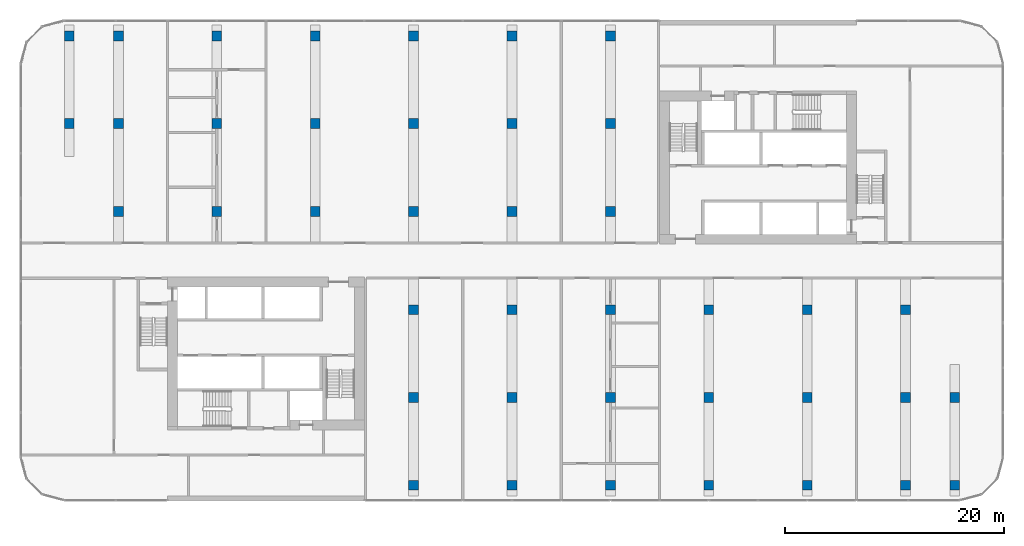
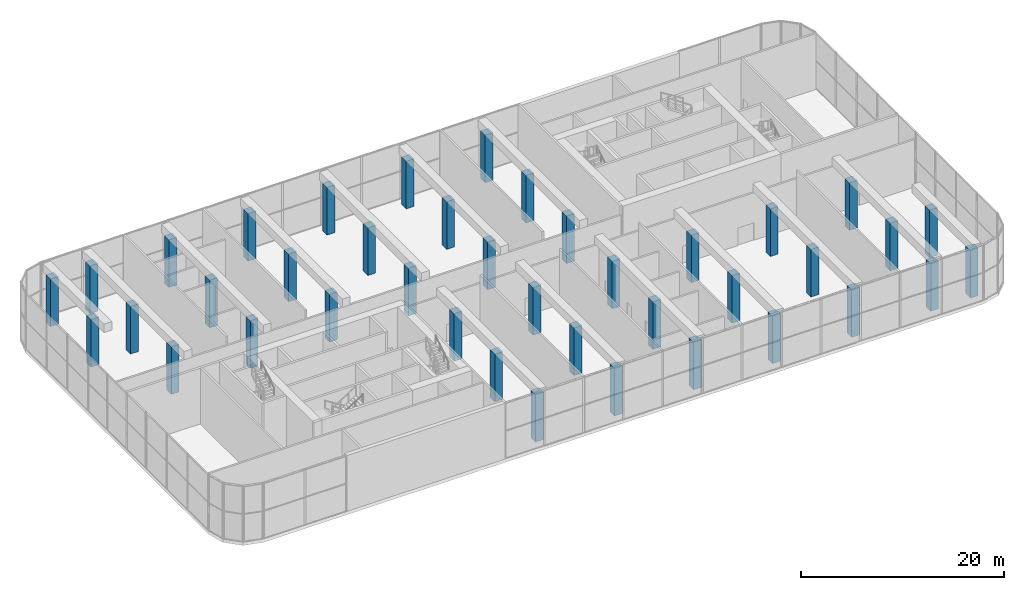
# One storey, part 1 of 23: 40 columns.
"""IFC4 building model written with IfcOpenShell, lengths in metres."""

import ifcopenshell
import ifcopenshell.guid

model = None  # the IFC model being written
_history = None  # IfcOwnerHistory: only IFC2X3 demands one
_inside = {}  # id of a spatial element -> (the spatial element, [elements in it])
_under = {}  # id of a project, library or spatial element -> (it, [spatial elements below it])
_declared = {}  # id of a project -> (the project, [libraries it declares])
_typed = {}  # id of a type object -> (the type object, [elements of that type])
_made_of = {}  # id of a material, layer set ... -> (it, [elements and type objects made of it])


def new_model(schema):
    """Start an empty IFC model of exactly this schema.

    Asked for "IFC4X3", IfcOpenShell would pick the latest addendum, in which some entities
    have other attributes; the version numbers below select the first issue.
    IFC2X3 requires an IfcOwnerHistory on every rooted entity: one is made here for all.
    """
    global model, _history
    if schema == "IFC4X3":
        model = ifcopenshell.file(schema_version=(4, 3, 0, 0))
    else:
        model = ifcopenshell.file(schema=schema)
    _inside.clear()
    _under.clear()
    _declared.clear()
    _typed.clear()
    _made_of.clear()
    _history = None
    if model.schema == "IFC2X3":
        org = make("IfcOrganization", Name="unknown")
        user = make(
            "IfcPersonAndOrganization",
            ThePerson=make("IfcPerson", FamilyName="unknown"),
            TheOrganization=org,
        )
        app = make(
            "IfcApplication",
            ApplicationDeveloper=org,
            Version="unknown",
            ApplicationFullName="unknown",
            ApplicationIdentifier="unknown",
        )
        _history = make(
            "IfcOwnerHistory",
            OwningUser=user,
            OwningApplication=app,
            ChangeAction="ADDED",
            CreationDate=0,
        )
    return model


def make(cls, **values):
    """One entity of the class cls with the attributes given. An attribute that is None is left unset."""
    return model.create_entity(
        cls, **{name: value for name, value in values.items() if value is not None}
    )


def rooted(cls, **values):
    """An entity with a GlobalId (a new one), such as an element, a storey or a relation."""
    return make(cls, GlobalId=ifcopenshell.guid.new(), OwnerHistory=_history, **values)


def si_unit(unit_type, name, prefix=None):
    """IfcSIUnit, for example si_unit("LENGTHUNIT", "METRE", prefix="MILLI")."""
    return make("IfcSIUnit", UnitType=unit_type, Prefix=prefix, Name=name)


def assignment(units):
    """IfcUnitAssignment: the units of a project."""
    return None if units is None else make("IfcUnitAssignment", Units=units)


def point(xyz):
    """IfcCartesianPoint."""
    return None if xyz is None else make("IfcCartesianPoint", Coordinates=xyz)


def direction(xyz):
    """IfcDirection."""
    return None if xyz is None else make("IfcDirection", DirectionRatios=xyz)


def frame(location, z_axis=None, x_axis=None):
    """IfcAxis2Placement3D, a coordinate frame: its origin and axes. An axis left out is left unset."""
    return make(
        "IfcAxis2Placement3D",
        Location=point(location),
        Axis=direction(z_axis),
        RefDirection=direction(x_axis),
    )


def frame_2d(location, x_axis=None):
    """IfcAxis2Placement2D, a coordinate frame in the plane: its origin and x axis."""
    return make(
        "IfcAxis2Placement2D", Location=point(location), RefDirection=direction(x_axis)
    )


def origin():
    """The frame at (0, 0, 0) with its axes left unset."""
    return frame((0.0, 0.0, 0.0))


def origin_2d():
    """The frame at (0, 0) in the plane with its x axis left unset."""
    return frame_2d((0.0, 0.0))


def place(relative_to, where):
    """IfcLocalPlacement: puts the frame where relative to a parent placement (None: the world)."""
    return make(
        "IfcLocalPlacement", PlacementRelTo=relative_to, RelativePlacement=where
    )


def context(
    kind, dimensions, precision=None, world=None, true_north=None, identifier=None
):
    """IfcGeometricRepresentationContext, for example the 3D "Model" context."""
    return make(
        "IfcGeometricRepresentationContext",
        ContextIdentifier=identifier,
        ContextType=kind,
        CoordinateSpaceDimension=dimensions,
        Precision=precision,
        WorldCoordinateSystem=world,
        TrueNorth=true_north,
    )


def subcontext(parent, identifier, kind, view, scale=None):
    """IfcGeometricRepresentationSubContext, for example "Body" below "Model"."""
    return make(
        "IfcGeometricRepresentationSubContext",
        ContextIdentifier=identifier,
        ContextType=kind,
        ParentContext=parent,
        TargetScale=scale,
        TargetView=view,
    )


def project(units=None, contexts=None):
    """IfcProject with its units and contexts."""
    return rooted(
        "IfcProject",
        Name="project",
        RepresentationContexts=contexts,
        UnitsInContext=assignment(units),
    )


def spatial(cls, under=None, at=None, **own):
    """A site, building, storey or space (cls), placed at a placement, below another one or the project."""
    s = rooted(cls, ObjectPlacement=at, **own)
    if under is not None:
        _under.setdefault(under.id(), (under, []))[1].append(s)
    return s


def profile(cls, at=None, kind="AREA", **sizes):
    """A parametric profile (cls). Its sizes go by their IFC names, for example OverallWidth=200.0."""
    return make(cls, ProfileType=kind, Position=at, **sizes)


def rectangle(**sizes):
    """IfcRectangleProfileDef."""
    return profile("IfcRectangleProfileDef", **sizes)


def extrude(swept, where, along, depth):
    """IfcExtrudedAreaSolid: the profile swept, set in the frame where, extruded along a direction by depth."""
    return make(
        "IfcExtrudedAreaSolid",
        SweptArea=swept,
        Position=where,
        ExtrudedDirection=direction(along),
        Depth=depth,
    )


def shape(context_of_items, identifier, shape_type, items):
    """IfcShapeRepresentation: the items that make up one representation, for example the "Body"."""
    return make(
        "IfcShapeRepresentation",
        ContextOfItems=context_of_items,
        RepresentationIdentifier=identifier,
        RepresentationType=shape_type,
        Items=items,
    )


def material(Name=None, Category=None):
    """IfcMaterial."""
    return make("IfcMaterial", Name=Name, Category=Category)


def material_profile(
    of_material, cross_section, Name=None, Category=None, Priority=None
):
    """IfcMaterialProfile: a cross section and its material."""
    return make(
        "IfcMaterialProfile",
        Name=Name,
        Material=of_material,
        Profile=cross_section,
        Priority=Priority,
        Category=Category,
    )


def profile_set(profiles, Name=None, composite=None):
    """IfcMaterialProfileSet."""
    return make(
        "IfcMaterialProfileSet",
        Name=Name,
        MaterialProfiles=profiles,
        CompositeProfile=composite,
    )


def made_of(thing, what):
    """Note that an element or type object is made of a material, layer set ...; save() writes the relation."""
    if what is not None:
        _made_of.setdefault(what.id(), (what, []))[1].append(thing)
    return thing


def type_object(cls, material=None, **own):
    """A type object (cls), such as IfcWallType, which elements share."""
    return made_of(rooted(cls, **own), material)


def element(
    cls,
    number,
    at=None,
    inside=None,
    cuts=None,
    type_object=None,
    material=None,
    context=None,
    identifier="Body",
    shape_type=None,
    held_by="IfcProductDefinitionShape",
    body=None,
    shapes=None,
    **own,
):
    """One element of the class cls, such as IfcWall. Its Tag is "e" and its number.

    at: its placement. inside: the storey or other place that contains it. cuts: it is an
    opening in that element (IfcRelVoidsElement). A single representation is given by context,
    identifier, shape_type and body (its items); several are given by shapes. held_by: the class
    of the entity that holds the representations. save() writes the other relations.
    """
    e = rooted(cls, Tag="e%d" % number, ObjectPlacement=at, **own)
    if body is not None:
        shapes = [shape(context, identifier, shape_type, body)]
    if shapes is not None:
        e.Representation = make(held_by, Representations=shapes)
    if inside is not None:
        _inside.setdefault(inside.id(), (inside, []))[1].append(e)
    if cuts is not None:
        rooted(
            "IfcRelVoidsElement", RelatingBuildingElement=cuts, RelatedOpeningElement=e
        )
    if type_object is not None:
        _typed.setdefault(type_object.id(), (type_object, []))[1].append(e)
    return made_of(e, material)


def aggregate(whole, parts):
    """IfcRelAggregates: a whole, such as a stair, and the parts it consists of."""
    return rooted("IfcRelAggregates", RelatingObject=whole, RelatedObjects=parts)


def save(model, path):
    """Write the relations noted so far, then the file.

    IfcRelAggregates (storeys below a building ...), IfcRelContainedInSpatialStructure (elements
    in a storey), IfcRelDefinesByType, IfcRelAssociatesMaterial and IfcRelDeclares: one each for
    every whole, place, type object, material and project.
    """
    for whole, parts in _under.values():
        aggregate(whole, parts)
    for where, things in _inside.values():
        rooted(
            "IfcRelContainedInSpatialStructure",
            RelatedElements=things,
            RelatingStructure=where,
        )
    for kind, things in _typed.values():
        rooted("IfcRelDefinesByType", RelatedObjects=things, RelatingType=kind)
    for what, things in _made_of.values():
        rooted("IfcRelAssociatesMaterial", RelatedObjects=things, RelatingMaterial=what)
    for by, libraries in _declared.values():
        rooted("IfcRelDeclares", RelatingContext=by, RelatedDefinitions=libraries)
    model.write(path)


model = new_model("IFC4")

# Units and contexts
model_context = context("Model", 3, precision=1e-05, world=origin(), true_north=direction((0.0, 1.0)))
body_context = subcontext(model_context, "Body", "Model", "MODEL_VIEW")
ifc_project = project(units=[si_unit("LENGTHUNIT", "METRE"), si_unit("AREAUNIT", "SQUARE_METRE"), si_unit("VOLUMEUNIT", "CUBIC_METRE"), si_unit("PLANEANGLEUNIT", "RADIAN"), si_unit("MASSUNIT", "GRAM", prefix="KILO")], contexts=[model_context])

# Site, building, storey
site_placement = place(None, origin())
site = spatial("IfcSite", under=ifc_project, at=site_placement, CompositionType="ELEMENT")
building_placement = place(site_placement, origin())
building = spatial("IfcBuilding", under=site, at=building_placement, Name="Kajstack Hotel Tower", CompositionType="ELEMENT")
storey_placement = place(building_placement, frame((0.0, 0.0, 53.0)))
storey = spatial("IfcBuildingStorey", under=building, at=storey_placement, Name="L08", CompositionType="ELEMENT", Elevation=53.0)

# Columns
ifc_material = material(Name="Concrete C60/75", Category="concrete")
ifc_material_profile = material_profile(ifc_material, rectangle(XDim=0.89990234375, YDim=0.89990234375, at=origin_2d()), Name="RC 900x900")
ifc_profile_set = profile_set([ifc_material_profile], Name="Concrete C60/75")
column_type = type_object("IfcColumnType", Name="GC1 RC 900x900 C60/75", PredefinedType="COLUMN", material=ifc_profile_set)
for number, where, z_axis, x_axis, name in (
    (1, (-40.5, 12.52490234375, 0.0), (0.0, 0.0, 1.0), (1.0, 0.0, 0.0), "S-col-g-L08--40p5+12p5"),
    (2, (-40.5, 20.550048828125, 0.0), (0.0, 0.0, 1.0), (1.0, 0.0, 0.0), "S-col-g-L08--40p5+20p6"),
    (3, (-36.0, 4.5, 0.0), (0.0, 0.0, 1.0), (1.0, 0.0, 0.0), "S-col-g-L08--36p0+4p5"),
    (4, (-36.0, 12.52490234375, 0.0), (0.0, 0.0, 1.0), (1.0, 0.0, 0.0), "S-col-g-L08--36p0+12p5"),
    (5, (-36.0, 20.550048828125, 0.0), (0.0, 0.0, 1.0), (1.0, 0.0, 0.0), "S-col-g-L08--36p0+20p6"),
    (6, (-27.0, 4.5, 0.0), (0.0, 0.0, 1.0), (1.0, 0.0, 0.0), "S-col-g-L08--27p0+4p5"),
    (7, (-27.0, 12.52490234375, 0.0), (0.0, 0.0, 1.0), (1.0, 0.0, 0.0), "S-col-g-L08--27p0+12p5"),
    (8, (-27.0, 20.550048828125, 0.0), (0.0, 0.0, 1.0), (1.0, 0.0, 0.0), "S-col-g-L08--27p0+20p6"),
    (9, (-18.0, 4.5, 0.0), (0.0, 0.0, 1.0), (1.0, 0.0, 0.0), "S-col-g-L08--18p0+4p5"),
    (10, (-18.0, 12.52490234375, 0.0), (0.0, 0.0, 1.0), (1.0, 0.0, 0.0), "S-col-g-L08--18p0+12p5"),
    (11, (-18.0, 20.550048828125, 0.0), (0.0, 0.0, 1.0), (1.0, 0.0, 0.0), "S-col-g-L08--18p0+20p6"),
    (12, (-9.0, -20.550048828125, 0.0), (0.0, 0.0, 1.0), (1.0, 0.0, 0.0), "S-col-g-L08--9p0-20p6"),
    (13, (-9.0, -12.52490234375, 0.0), (0.0, 0.0, 1.0), (1.0, 0.0, 0.0), "S-col-g-L08--9p0-12p5"),
    (14, (-9.0, -4.5, 0.0), (0.0, 0.0, 1.0), (1.0, 0.0, 0.0), "S-col-g-L08--9p0-4p5"),
    (15, (-9.0, 4.5, 0.0), (0.0, 0.0, 1.0), (1.0, 0.0, 0.0), "S-col-g-L08--9p0+4p5"),
    (16, (-9.0, 12.52490234375, 0.0), (0.0, 0.0, 1.0), (1.0, 0.0, 0.0), "S-col-g-L08--9p0+12p5"),
    (17, (-9.0, 20.550048828125, 0.0), (0.0, 0.0, 1.0), (1.0, 0.0, 0.0), "S-col-g-L08--9p0+20p6"),
    (18, (0.0, -20.550048828125, 0.0), (0.0, 0.0, 1.0), (1.0, 0.0, 0.0), "S-col-g-L08-+0p0-20p6"),
    (19, (0.0, -12.52490234375, 0.0), (0.0, 0.0, 1.0), (1.0, 0.0, 0.0), "S-col-g-L08-+0p0-12p5"),
    (20, (0.0, -4.5, 0.0), (0.0, 0.0, 1.0), (1.0, 0.0, 0.0), "S-col-g-L08-+0p0-4p5"),
    (21, (0.0, 4.5, 0.0), (0.0, 0.0, 1.0), (1.0, 0.0, 0.0), "S-col-g-L08-+0p0+4p5"),
    (22, (0.0, 12.52490234375, 0.0), (0.0, 0.0, 1.0), (1.0, 0.0, 0.0), "S-col-g-L08-+0p0+12p5"),
    (23, (0.0, 20.550048828125, 0.0), (0.0, 0.0, 1.0), (1.0, 0.0, 0.0), "S-col-g-L08-+0p0+20p6"),
    (24, (9.0, -20.550048828125, 0.0), (0.0, 0.0, 1.0), (1.0, 0.0, 0.0), "S-col-g-L08-+9p0-20p6"),
    (25, (9.0, -12.52490234375, 0.0), (0.0, 0.0, 1.0), (1.0, 0.0, 0.0), "S-col-g-L08-+9p0-12p5"),
    (26, (9.0, -4.5, 0.0), (0.0, 0.0, 1.0), (1.0, 0.0, 0.0), "S-col-g-L08-+9p0-4p5"),
    (27, (9.0, 4.5, 0.0), (0.0, 0.0, 1.0), (1.0, 0.0, 0.0), "S-col-g-L08-+9p0+4p5"),
    (28, (9.0, 12.52490234375, 0.0), (0.0, 0.0, 1.0), (1.0, 0.0, 0.0), "S-col-g-L08-+9p0+12p5"),
    (29, (9.0, 20.550048828125, 0.0), (0.0, 0.0, 1.0), (1.0, 0.0, 0.0), "S-col-g-L08-+9p0+20p6"),
    (30, (18.0, -20.550048828125, 0.0), (0.0, 0.0, 1.0), (1.0, 0.0, 0.0), "S-col-g-L08-+18p0-20p6"),
    (31, (18.0, -12.52490234375, 0.0), (0.0, 0.0, 1.0), (1.0, 0.0, 0.0), "S-col-g-L08-+18p0-12p5"),
    (32, (18.0, -4.5, 0.0), (0.0, 0.0, 1.0), (1.0, 0.0, 0.0), "S-col-g-L08-+18p0-4p5"),
    (33, (27.0, -20.550048828125, 0.0), (0.0, 0.0, 1.0), (1.0, 0.0, 0.0), "S-col-g-L08-+27p0-20p6"),
    (34, (27.0, -12.52490234375, 0.0), (0.0, 0.0, 1.0), (1.0, 0.0, 0.0), "S-col-g-L08-+27p0-12p5"),
    (35, (27.0, -4.5, 0.0), (0.0, 0.0, 1.0), (1.0, 0.0, 0.0), "S-col-g-L08-+27p0-4p5"),
    (36, (36.0, -20.550048828125, 0.0), (0.0, 0.0, 1.0), (1.0, 0.0, 0.0), "S-col-g-L08-+36p0-20p6"),
    (37, (36.0, -12.52490234375, 0.0), (0.0, 0.0, 1.0), (1.0, 0.0, 0.0), "S-col-g-L08-+36p0-12p5"),
    (38, (36.0, -4.5, 0.0), (0.0, 0.0, 1.0), (1.0, 0.0, 0.0), "S-col-g-L08-+36p0-4p5"),
    (39, (40.5, -20.550048828125, 0.0), (0.0, 0.0, 1.0), (1.0, 0.0, 0.0), "S-col-g-L08-+40p5-20p6"),
    (40, (40.5, -12.52490234375, 0.0), (0.0, 0.0, 1.0), (1.0, 0.0, 0.0), "S-col-g-L08-+40p5-12p5"),
):
    element("IfcColumn", number, at=place(storey_placement, frame(where, z_axis=z_axis, x_axis=x_axis)), inside=storey, type_object=column_type, Name=name, PredefinedType="COLUMN", context=body_context, shape_type="SweptSolid", body=[
        extrude(rectangle(XDim=0.89990234375, YDim=0.89990234375, at=origin_2d()), origin(), (0.0, 0.0, 1.0), 5.719970703125),
    ])

save(model, "model.ifc")
